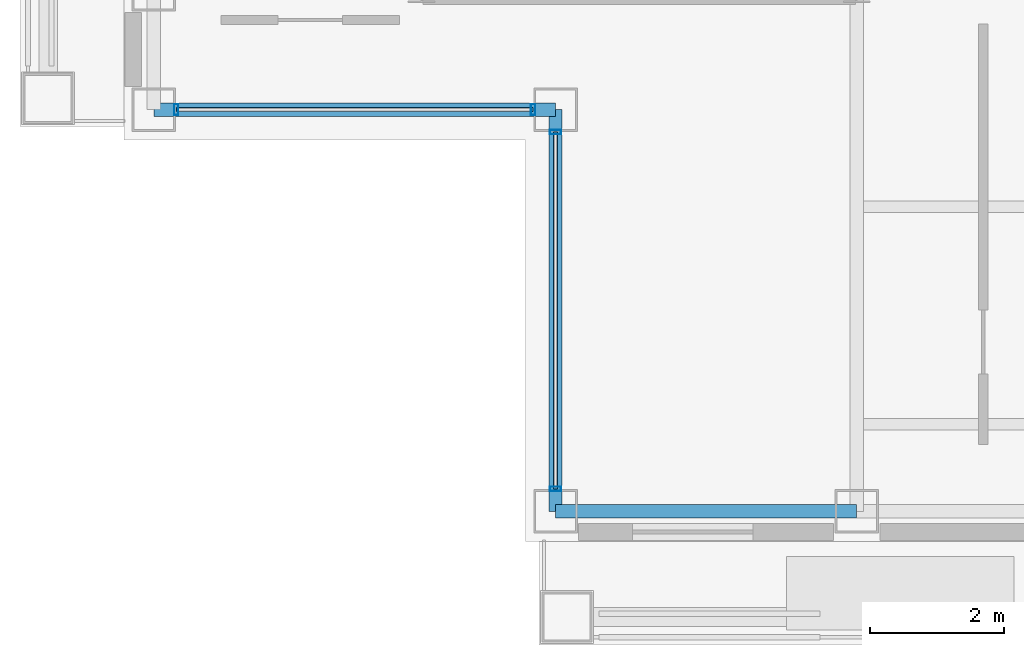
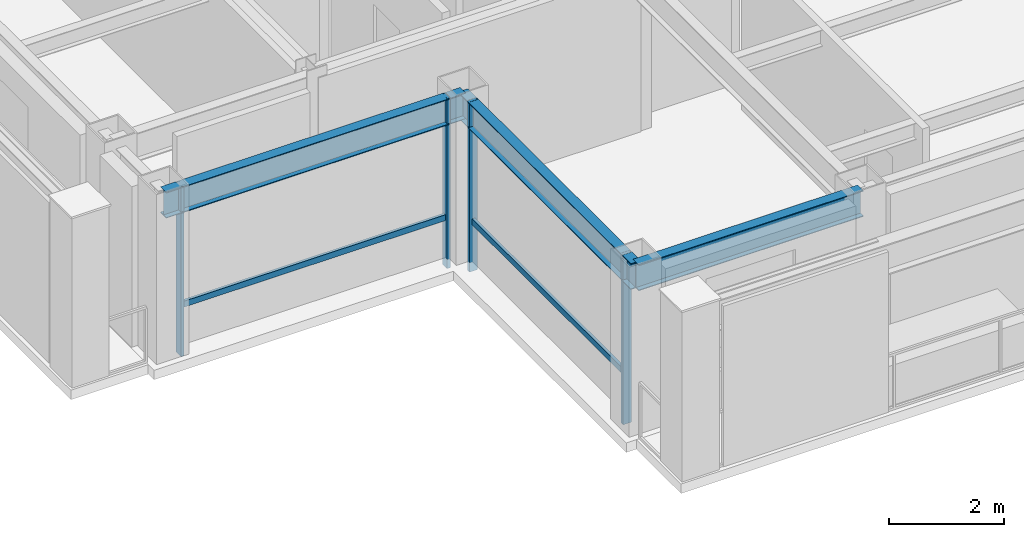
# One storey, part 3 of 26: 6 members, 3 beams, 2 elements without a shape of their own.
"""IFC4 building model written with IfcOpenShell, lengths in metres."""

from ifc_helpers import new_model, si_unit, direction, frame, origin, origin_2d, place, context, subcontext, project, spatial, hollow_rectangle, i_section, extrude, material, layer, layer_set, material_profile, profile_set, type_object, element, aggregate, save


model = new_model("IFC4")

# Units and contexts
model_context = context("Model", 3, precision=1e-05, world=origin(), true_north=direction((0.0, 1.0)))
body_context = subcontext(model_context, "Body", "Model", "MODEL_VIEW")
ifc_project = project(units=[si_unit("LENGTHUNIT", "METRE"), si_unit("AREAUNIT", "SQUARE_METRE"), si_unit("VOLUMEUNIT", "CUBIC_METRE"), si_unit("PLANEANGLEUNIT", "RADIAN"), si_unit("MASSUNIT", "GRAM", prefix="KILO")], contexts=[model_context])

# Site, building, storey
site_placement = place(None, origin())
site = spatial("IfcSite", under=ifc_project, at=site_placement, CompositionType="ELEMENT")
building_placement = place(site_placement, origin())
building = spatial("IfcBuilding", under=site, at=building_placement, Name="Brelmoor Portico Tower", CompositionType="ELEMENT")
storey_placement = place(building_placement, frame((0.0, 0.0, 247.199951171875)))
storey = spatial("IfcBuildingStorey", under=building, at=storey_placement, Name="L65", CompositionType="ELEMENT", Elevation=247.199951171875)

# Beams
ifc_material_1 = material(Name="Steel Q355B", Category="steel")
ifc_material_profile_1 = material_profile(ifc_material_1, i_section(OverallWidth=0.199951171875, OverallDepth=0.550048828125, WebThickness=0.010009765625, FlangeThickness=0.01611328125, at=origin_2d()), Name="HN 550x200x10x16")
ifc_profile_set_1 = profile_set([ifc_material_profile_1], Name="Steel Q355B")
beam_type = type_object("IfcBeamType", Name="BM-SP-550", PredefinedType="SPANDREL", material=ifc_profile_set_1)
beam_placement = place(storey_placement, frame((-12.550048828125, -17.550048828125, 3.125), z_axis=(1.0, 0.0, 0.0), x_axis=(0.0, 1.0, 0.0)))
element("IfcBeam", 1, at=beam_placement, inside=storey, type_object=beam_type, Name="L65 Perimeter Spandrel Beam SP-01", PredefinedType="SPANDREL", context=body_context, shape_type="SweptSolid", body=[
    extrude(i_section(OverallWidth=0.199951171875, OverallDepth=0.550048828125, WebThickness=0.010009765625, FlangeThickness=0.01611328125, at=origin_2d()), origin(), (0.0, 0.0, 1.0), 4.5),
])
for number, where, z_axis, x_axis, name in (
    (2, (-18.550048828125, -11.550048828125, 3.125), (1.0, 0.0, 0.0), (0.0, 1.0, 0.0), "L65 Perimeter Spandrel Beam SP-04"),
    (3, (-12.550048828125, -17.550048828125, 3.125), (0.0, 1.0, 0.0), (-1.0, 0.0, 0.0), "L65 Perimeter Spandrel Beam SP-14"),
):
    element("IfcBeam", number, at=place(storey_placement, frame(where, z_axis=z_axis, x_axis=x_axis)), inside=storey, type_object=beam_type, Name=name, PredefinedType="SPANDREL", context=body_context, shape_type="SweptSolid", body=[
        extrude(i_section(OverallWidth=0.199951171875, OverallDepth=0.550048828125, WebThickness=0.010009765625, FlangeThickness=0.01611328125, at=origin_2d()), origin(), (0.0, 0.0, 1.0), 6.0),
    ])

# Curtain wall, members
ifc_material_2 = material(Name="Anodised Aluminium Alloy 6063-T6", Category="aluminium")
ifc_layer = layer(ifc_material_2, 0.179931640625)
ifc_layer_set = layer_set([ifc_layer], Name="Anodised Aluminium Alloy 6063-T6")
curtain_wall_type = type_object("IfcCurtainWallType", Name="CW-NOTCH-CHAMFER", PredefinedType="NOTDEFINED", material=ifc_layer_set)
curtain_wall_1_placement = place(storey_placement, origin())
curtain_wall_1 = element("IfcCurtainWall", 4, at=curtain_wall_1_placement, inside=storey, type_object=curtain_wall_type, Name="L65 Curtain Wall CWN-L65-SWH", PredefinedType="NOTDEFINED")
ifc_material_profile_2 = material_profile(ifc_material_2, hollow_rectangle(XDim=0.06494140625, YDim=0.1650390625, WallThickness=0.00390625, at=origin_2d()), Name="ALU MULLION 65x165")
ifc_profile_set_2 = profile_set([ifc_material_profile_2], Name="Anodised Aluminium Alloy 6063-T6")
member_type_1 = type_object("IfcMemberType", Name="MB-CW-MULL-165", PredefinedType="MULLION", material=ifc_profile_set_2)
member_1_placement = place(storey_placement, frame((-18.215087890625, -11.550048828125, -0.199951171875), z_axis=(0.0, 0.0, 1.0), x_axis=(1.0, 0.0, 0.0)))
member_1 = element("IfcMember", 5, at=member_1_placement, type_object=member_type_1, Name="CWN-L65-SWH Mullion 00", PredefinedType="MULLION", context=body_context, shape_type="SweptSolid", body=[
    extrude(hollow_rectangle(XDim=0.06494140625, YDim=0.1650390625, WallThickness=0.00390625, at=origin_2d()), origin(), (0.0, 0.0, 1.0), 3.60009765625),
])
member_2_placement = place(storey_placement, frame((-12.885009765625, -11.550048828125, -0.199951171875), z_axis=(0.0, 0.0, 1.0), x_axis=(1.0, 0.0, 0.0)))
member_2 = element("IfcMember", 6, at=member_2_placement, type_object=member_type_1, Name="CWN-L65-SWH Mullion 01", PredefinedType="MULLION", context=body_context, shape_type="SweptSolid", body=[
    extrude(hollow_rectangle(XDim=0.06494140625, YDim=0.1650390625, WallThickness=0.00390625, at=origin_2d()), origin(), (0.0, 0.0, 1.0), 3.60009765625),
])

curtain_wall_2_placement = place(storey_placement, origin())
curtain_wall_2 = element("IfcCurtainWall", 7, at=curtain_wall_2_placement, inside=storey, type_object=curtain_wall_type, Name="L65 Curtain Wall CWN-L65-SWV", PredefinedType="NOTDEFINED")
member_3_placement = place(storey_placement, frame((-12.550048828125, -17.215087890625, -0.199951171875), z_axis=(0.0, 0.0, 1.0), x_axis=(0.0, 1.0, 0.0)))
member_3 = element("IfcMember", 8, at=member_3_placement, type_object=member_type_1, Name="CWN-L65-SWV Mullion 00", PredefinedType="MULLION", context=body_context, shape_type="SweptSolid", body=[
    extrude(hollow_rectangle(XDim=0.06494140625, YDim=0.1650390625, WallThickness=0.00390625, at=origin_2d()), origin(), (0.0, 0.0, 1.0), 3.60009765625),
])
member_4_placement = place(storey_placement, frame((-12.550048828125, -11.885009765625, -0.199951171875), z_axis=(0.0, 0.0, 1.0), x_axis=(0.0, 1.0, 0.0)))
member_4 = element("IfcMember", 9, at=member_4_placement, type_object=member_type_1, Name="CWN-L65-SWV Mullion 01", PredefinedType="MULLION", context=body_context, shape_type="SweptSolid", body=[
    extrude(hollow_rectangle(XDim=0.06494140625, YDim=0.1650390625, WallThickness=0.00390625, at=origin_2d()), origin(), (0.0, 0.0, 1.0), 3.60009765625),
])

# Member
ifc_material_profile_3 = material_profile(ifc_material_2, hollow_rectangle(XDim=0.06005859375, YDim=0.125, WallThickness=0.00341796875, at=origin_2d()), Name="ALU TRANSOM 60x125")
ifc_profile_set_3 = profile_set([ifc_material_profile_3], Name="Anodised Aluminium Alloy 6063-T6")
member_type_2 = type_object("IfcMemberType", Name="MB-CW-TRAN-125", PredefinedType="USERDEFINED", material=ifc_profile_set_3)
member_5_placement = place(storey_placement, frame((-18.215087890625, -11.550048828125, 0.85009765625), z_axis=(1.0, 0.0, 0.0), x_axis=(0.0, 1.0, 0.0)))
member_5 = element("IfcMember", 10, at=member_5_placement, type_object=member_type_2, Name="CWN-L65-SWH Transom 1-00", ObjectType="TRANSOM", PredefinedType="USERDEFINED", context=body_context, shape_type="SweptSolid", body=[
    extrude(hollow_rectangle(XDim=0.06005859375, YDim=0.125, WallThickness=0.00341796875, at=origin_2d()), origin(), (0.0, 0.0, 1.0), 5.330078125),
])

aggregate(curtain_wall_1, [member_1, member_2, member_5])

member_6_placement = place(storey_placement, frame((-12.550048828125, -17.215087890625, 0.85009765625), z_axis=(0.0, 1.0, 0.0), x_axis=(-1.0, 0.0, 0.0)))
member_6 = element("IfcMember", 11, at=member_6_placement, type_object=member_type_2, Name="CWN-L65-SWV Transom 1-00", ObjectType="TRANSOM", PredefinedType="USERDEFINED", context=body_context, shape_type="SweptSolid", body=[
    extrude(hollow_rectangle(XDim=0.06005859375, YDim=0.125, WallThickness=0.00341796875, at=origin_2d()), origin(), (0.0, 0.0, 1.0), 5.330078125),
])

aggregate(curtain_wall_2, [member_3, member_4, member_6])

save(model, "model.ifc")
